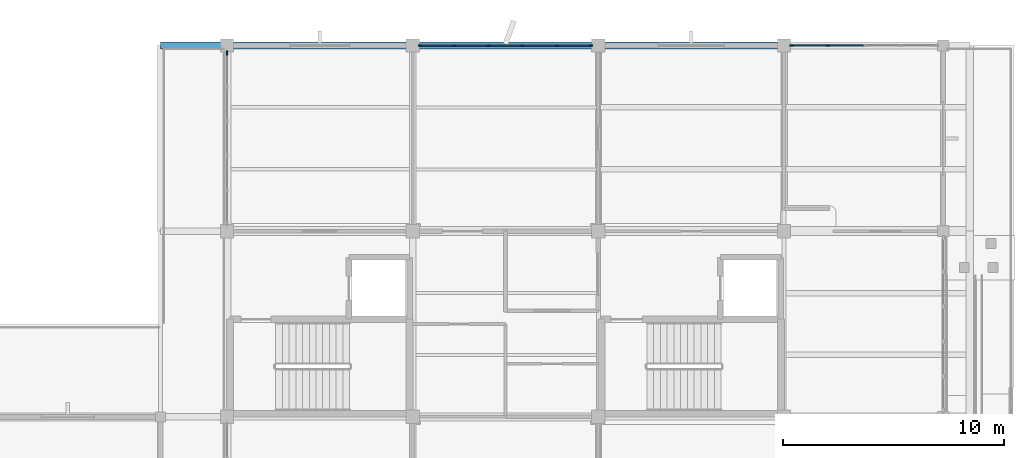
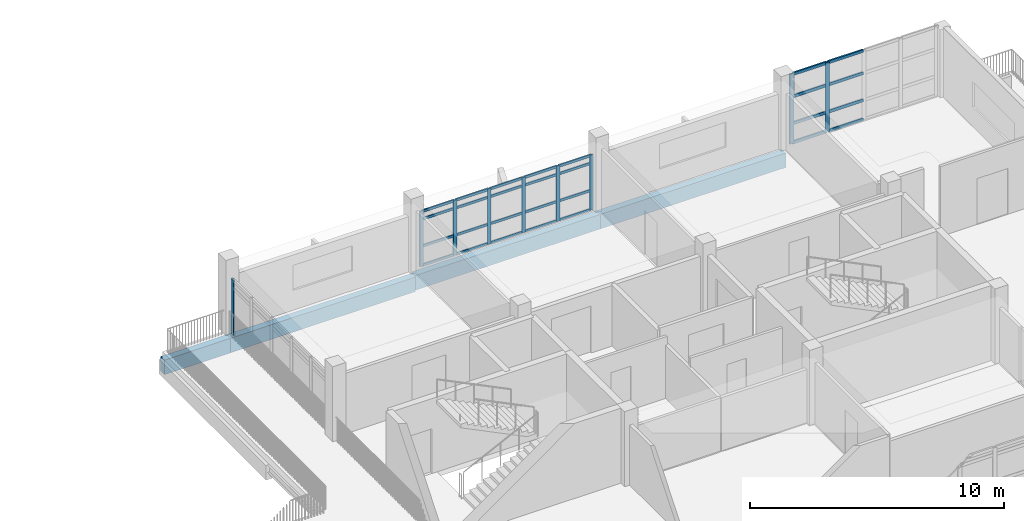
# One storey, part 13 of 33: 37 members, 4 beams, 3 elements without a shape of their own.
"""IFC4 building model written with IfcOpenShell, lengths in metres."""

from ifc_helpers import new_model, si_unit, direction, frame, origin, origin_2d, place, context, subcontext, project, spatial, rectangle, extrude, material, material_profile, profile_set, type_object, element, aggregate, save


model = new_model("IFC4")

# Units and contexts
model_context = context("Model", 3, precision=1e-05, world=origin(), true_north=direction((0.0, 1.0)))
body_context = subcontext(model_context, "Body", "Model", "MODEL_VIEW")
ifc_project = project(units=[si_unit("LENGTHUNIT", "METRE"), si_unit("AREAUNIT", "SQUARE_METRE"), si_unit("VOLUMEUNIT", "CUBIC_METRE"), si_unit("PLANEANGLEUNIT", "RADIAN"), si_unit("MASSUNIT", "GRAM", prefix="KILO")], contexts=[model_context])

# Site, building, storey
site_placement = place(None, origin())
site = spatial("IfcSite", under=ifc_project, at=site_placement, CompositionType="ELEMENT")
building_placement = place(site_placement, origin())
building = spatial("IfcBuilding", under=site, at=building_placement, Name="Vanh Quang Courtyard School", CompositionType="ELEMENT")
storey_placement = place(building_placement, frame((0.0, 0.0, 18.60009765625)))
storey = spatial("IfcBuildingStorey", under=building, at=storey_placement, Name="L05", CompositionType="ELEMENT", Elevation=18.60009765625)

# Beams
ifc_material_1 = material(Name="Concrete C35/45", Category="concrete")
ifc_material_profile_1 = material_profile(ifc_material_1, rectangle(XDim=0.300048828125, YDim=0.699951171875, at=origin_2d()), Name="RC-SP 300x700")
ifc_profile_set_1 = profile_set([ifc_material_profile_1], Name="Concrete C35/45")
beam_type = type_object("IfcBeamType", Name="BM-SP-300x700", PredefinedType="SPANDREL", material=ifc_profile_set_1)
beam_1_placement = place(storey_placement, frame((74.39990234375, 96.60009765625, -0.670166015625), z_axis=(1.0, 0.0, 0.0), x_axis=(0.0, 1.0, 0.0)))
element("IfcBeam", 1, at=beam_1_placement, inside=storey, type_object=beam_type, Name="Beam BS-01 (L05)", PredefinedType="SPANDREL", context=body_context, shape_type="SweptSolid", body=[
    extrude(rectangle(XDim=0.300048828125, YDim=0.699951171875, at=origin_2d()), origin(), (0.0, 0.0, 1.0), 3.0),
])
beam_2_placement = place(storey_placement, frame((77.39990234375, 96.60009765625, -0.670166015625), z_axis=(1.0, 0.0, 0.0), x_axis=(0.0, 1.0, 0.0)))
element("IfcBeam", 2, at=beam_2_placement, inside=storey, type_object=beam_type, Name="Beam BS-01 (L05)", PredefinedType="SPANDREL", context=body_context, shape_type="SweptSolid", body=[
    extrude(rectangle(XDim=0.300048828125, YDim=0.699951171875, at=origin_2d()), origin(), (0.0, 0.0, 1.0), 8.400146484375),
])
beam_3_placement = place(storey_placement, frame((85.800048828125, 96.60009765625, -0.60009765625), z_axis=(1.0, 0.0, 0.0), x_axis=(0.0, 1.0, 0.0)))
element("IfcBeam", 3, at=beam_3_placement, inside=storey, type_object=beam_type, Name="Beam BS-01 (L05)", PredefinedType="SPANDREL", context=body_context, shape_type="SweptSolid", body=[
    extrude(rectangle(XDim=0.300048828125, YDim=0.699951171875, at=origin_2d()), origin(), (0.0, 0.0, 1.0), 8.39990234375),
])
beam_4_placement = place(storey_placement, frame((94.199951171875, 96.60009765625, -0.60009765625), z_axis=(1.0, 0.0, 0.0), x_axis=(0.0, 1.0, 0.0)))
element("IfcBeam", 4, at=beam_4_placement, inside=storey, type_object=beam_type, Name="Beam BS-01 (L05)", PredefinedType="SPANDREL", context=body_context, shape_type="SweptSolid", body=[
    extrude(rectangle(XDim=0.300048828125, YDim=0.699951171875, at=origin_2d()), origin(), (0.0, 0.0, 1.0), 8.400146484375),
])

# Curtain wall, members
ifc_material_2 = material(Name="Thermally broken aluminium unitised curtain wall", Category="aluminium")
curtain_wall_type_1 = type_object("IfcCurtainWallType", Name="CW-SYS-24", PredefinedType="NOTDEFINED", material=ifc_material_2)
curtain_wall_1_placement = place(storey_placement, origin())
curtain_wall_1 = element("IfcCurtainWall", 5, at=curtain_wall_1_placement, inside=storey, type_object=curtain_wall_type_1, Name="Curtain Wall CW-24 (L05)", PredefinedType="NOTDEFINED")
ifc_material_3 = material(Name="Anodised aluminium 6063-T6", Category="aluminium")
ifc_material_profile_2 = material_profile(ifc_material_3, rectangle(XDim=0.06005859375, YDim=0.159912109375, at=origin_2d()), Name="ALU-MUL 60x160")
ifc_profile_set_2 = profile_set([ifc_material_profile_2], Name="Anodised aluminium 6063-T6")
member_type_1 = type_object("IfcMemberType", Name="CW-MUL-60x160", PredefinedType="MULLION", material=ifc_profile_set_2)
member_1_placement = place(storey_placement, frame((86.137939453125, 96.60009765625, 0.0), z_axis=(0.0, 0.0, 1.0), x_axis=(0.0, 1.0, 0.0)))
member_1 = element("IfcMember", 6, at=member_1_placement, type_object=member_type_1, Name="CW-24 mullion 1", PredefinedType="MULLION", context=body_context, shape_type="SweptSolid", body=[
    extrude(rectangle(XDim=0.06005859375, YDim=0.159912109375, at=origin_2d()), origin(), (0.0, 0.0, 1.0), 2.64990234375),
])
member_2_placement = place(storey_placement, frame((87.664794921875, 96.60009765625, 0.0), z_axis=(0.0, 0.0, 1.0), x_axis=(0.0, 1.0, 0.0)))
member_2 = element("IfcMember", 7, at=member_2_placement, type_object=member_type_1, Name="CW-24 mullion 2", PredefinedType="MULLION", context=body_context, shape_type="SweptSolid", body=[
    extrude(rectangle(XDim=0.06005859375, YDim=0.159912109375, at=origin_2d()), origin(), (0.0, 0.0, 1.0), 2.64990234375),
])
member_3_placement = place(storey_placement, frame((89.2216796875, 96.60009765625, 0.0), z_axis=(0.0, 0.0, 1.0), x_axis=(0.0, 1.0, 0.0)))
member_3 = element("IfcMember", 8, at=member_3_placement, type_object=member_type_1, Name="CW-24 mullion 3", PredefinedType="MULLION", context=body_context, shape_type="SweptSolid", body=[
    extrude(rectangle(XDim=0.06005859375, YDim=0.159912109375, at=origin_2d()), origin(), (0.0, 0.0, 1.0), 2.64990234375),
])
member_4_placement = place(storey_placement, frame((90.7783203125, 96.60009765625, 0.0), z_axis=(0.0, 0.0, 1.0), x_axis=(0.0, 1.0, 0.0)))
member_4 = element("IfcMember", 9, at=member_4_placement, type_object=member_type_1, Name="CW-24 mullion 4", PredefinedType="MULLION", context=body_context, shape_type="SweptSolid", body=[
    extrude(rectangle(XDim=0.06005859375, YDim=0.159912109375, at=origin_2d()), origin(), (0.0, 0.0, 1.0), 2.64990234375),
])
member_5_placement = place(storey_placement, frame((92.335205078125, 96.60009765625, 0.0), z_axis=(0.0, 0.0, 1.0), x_axis=(0.0, 1.0, 0.0)))
member_5 = element("IfcMember", 10, at=member_5_placement, type_object=member_type_1, Name="CW-24 mullion 5", PredefinedType="MULLION", context=body_context, shape_type="SweptSolid", body=[
    extrude(rectangle(XDim=0.06005859375, YDim=0.159912109375, at=origin_2d()), origin(), (0.0, 0.0, 1.0), 2.64990234375),
])
member_6_placement = place(storey_placement, frame((93.862060546875, 96.60009765625, 0.0), z_axis=(0.0, 0.0, 1.0), x_axis=(0.0, 1.0, 0.0)))
member_6 = element("IfcMember", 11, at=member_6_placement, type_object=member_type_1, Name="CW-24 mullion 6", PredefinedType="MULLION", context=body_context, shape_type="SweptSolid", body=[
    extrude(rectangle(XDim=0.06005859375, YDim=0.159912109375, at=origin_2d()), origin(), (0.0, 0.0, 1.0), 2.64990234375),
])

curtain_wall_type_2 = type_object("IfcCurtainWallType", Name="CW-SYS-68", PredefinedType="NOTDEFINED", material=ifc_material_2)
curtain_wall_2_placement = place(storey_placement, origin())
curtain_wall_2 = element("IfcCurtainWall", 12, at=curtain_wall_2_placement, inside=storey, type_object=curtain_wall_type_2, Name="Curtain Wall CW-68 (L05)", PredefinedType="NOTDEFINED")
ifc_material_profile_3 = material_profile(ifc_material_3, rectangle(XDim=0.070068359375, YDim=0.179931640625, at=origin_2d()), Name="ALU-MUL 70x180")
ifc_profile_set_3 = profile_set([ifc_material_profile_3], Name="Anodised aluminium 6063-T6")
member_type_2 = type_object("IfcMemberType", Name="CW-MUL-70x180", PredefinedType="MULLION", material=ifc_profile_set_3)
member_7_placement = place(storey_placement, frame((102.943115234375, 96.60009765625, 0.0), z_axis=(0.0, 0.0, 1.0), x_axis=(0.0, 1.0, 0.0)))
member_7 = element("IfcMember", 13, at=member_7_placement, type_object=member_type_2, Name="CW-68 mullion 1", PredefinedType="MULLION", context=body_context, shape_type="SweptSolid", body=[
    extrude(rectangle(XDim=0.070068359375, YDim=0.179931640625, at=origin_2d()), origin(), (0.0, 0.0, 1.0), 3.349853515625),
])
member_8_placement = place(storey_placement, frame((104.56640625, 96.60009765625, 0.0), z_axis=(0.0, 0.0, 1.0), x_axis=(0.0, 1.0, 0.0)))
member_8 = element("IfcMember", 14, at=member_8_placement, type_object=member_type_2, Name="CW-68 mullion 2", PredefinedType="MULLION", context=body_context, shape_type="SweptSolid", body=[
    extrude(rectangle(XDim=0.070068359375, YDim=0.179931640625, at=origin_2d()), origin(), (0.0, 0.0, 1.0), 3.349853515625),
])

# Curtain wall, member
curtain_wall_3_placement = place(storey_placement, origin())
curtain_wall_3 = element("IfcCurtainWall", 15, at=curtain_wall_3_placement, inside=storey, type_object=curtain_wall_type_1, Name="Curtain Wall CW-24 (L05)", PredefinedType="NOTDEFINED")
ifc_material_profile_4 = material_profile(ifc_material_3, rectangle(XDim=0.080078125, YDim=0.199951171875, at=origin_2d()), Name="ALU-MUL 80x200")
ifc_profile_set_4 = profile_set([ifc_material_profile_4], Name="Anodised aluminium 6063-T6")
member_type_3 = type_object("IfcMemberType", Name="CW-MUL-80x200", PredefinedType="MULLION", material=ifc_profile_set_4)
member_9_placement = place(storey_placement, frame((77.39990234375, 96.251953125, 0.0), z_axis=(0.0, 0.0, 1.0), x_axis=(-1.0, 0.0, 0.0)))
member_9 = element("IfcMember", 16, at=member_9_placement, type_object=member_type_3, Name="CW-24 mullion 6", PredefinedType="MULLION", context=body_context, shape_type="SweptSolid", body=[
    extrude(rectangle(XDim=0.080078125, YDim=0.199951171875, at=origin_2d()), origin(), (0.0, 0.0, 1.0), 2.64990234375),
])
aggregate(curtain_wall_3, [member_9])

# Member
ifc_material_profile_5 = material_profile(ifc_material_3, rectangle(XDim=0.06005859375, YDim=0.1201171875, at=origin_2d()), Name="ALU-TRN 60x120")
ifc_profile_set_5 = profile_set([ifc_material_profile_5], Name="Anodised aluminium 6063-T6")
member_type_4 = type_object("IfcMemberType", Name="CW-TRN-60x120", PredefinedType="USERDEFINED", material=ifc_profile_set_5)
member_10_placement = place(storey_placement, frame((86.16796875, 96.60009765625, 0.02978515625), z_axis=(1.0, 0.0, 0.0), x_axis=(0.0, 1.0, 0.0)))
member_10 = element("IfcMember", 17, at=member_10_placement, type_object=member_type_4, Name="CW-24 transom 1.1", ObjectType="TRANSOM", PredefinedType="USERDEFINED", context=body_context, shape_type="SweptSolid", body=[
    extrude(rectangle(XDim=0.06005859375, YDim=0.1201171875, at=origin_2d()), origin(), (0.0, 0.0, 1.0), 1.466796875),
])

member_11_placement = place(storey_placement, frame((86.16796875, 96.60009765625, 0.949951171875), z_axis=(1.0, 0.0, 0.0), x_axis=(0.0, 1.0, 0.0)))
member_11 = element("IfcMember", 18, at=member_11_placement, type_object=member_type_4, Name="CW-24 transom 1.2", ObjectType="TRANSOM", PredefinedType="USERDEFINED", context=body_context, shape_type="SweptSolid", body=[
    extrude(rectangle(XDim=0.06005859375, YDim=0.1201171875, at=origin_2d()), origin(), (0.0, 0.0, 1.0), 1.466796875),
])

member_12_placement = place(storey_placement, frame((86.16796875, 96.60009765625, 2.25), z_axis=(1.0, 0.0, 0.0), x_axis=(0.0, 1.0, 0.0)))
member_12 = element("IfcMember", 19, at=member_12_placement, type_object=member_type_4, Name="CW-24 transom 1.3", ObjectType="TRANSOM", PredefinedType="USERDEFINED", context=body_context, shape_type="SweptSolid", body=[
    extrude(rectangle(XDim=0.06005859375, YDim=0.1201171875, at=origin_2d()), origin(), (0.0, 0.0, 1.0), 1.466796875),
])

member_13_placement = place(storey_placement, frame((86.16796875, 96.60009765625, 2.619873046875), z_axis=(1.0, 0.0, 0.0), x_axis=(0.0, 1.0, 0.0)))
member_13 = element("IfcMember", 20, at=member_13_placement, type_object=member_type_4, Name="CW-24 transom 1.4", ObjectType="TRANSOM", PredefinedType="USERDEFINED", context=body_context, shape_type="SweptSolid", body=[
    extrude(rectangle(XDim=0.06005859375, YDim=0.1201171875, at=origin_2d()), origin(), (0.0, 0.0, 1.0), 1.466796875),
])

member_14_placement = place(storey_placement, frame((87.69482421875, 96.60009765625, 0.02978515625), z_axis=(1.0, 0.0, 0.0), x_axis=(0.0, 1.0, 0.0)))
member_14 = element("IfcMember", 21, at=member_14_placement, type_object=member_type_4, Name="CW-24 transom 2.1", ObjectType="TRANSOM", PredefinedType="USERDEFINED", context=body_context, shape_type="SweptSolid", body=[
    extrude(rectangle(XDim=0.06005859375, YDim=0.1201171875, at=origin_2d()), origin(), (0.0, 0.0, 1.0), 1.496826171875),
])

member_15_placement = place(storey_placement, frame((87.69482421875, 96.60009765625, 0.949951171875), z_axis=(1.0, 0.0, 0.0), x_axis=(0.0, 1.0, 0.0)))
member_15 = element("IfcMember", 22, at=member_15_placement, type_object=member_type_4, Name="CW-24 transom 2.2", ObjectType="TRANSOM", PredefinedType="USERDEFINED", context=body_context, shape_type="SweptSolid", body=[
    extrude(rectangle(XDim=0.06005859375, YDim=0.1201171875, at=origin_2d()), origin(), (0.0, 0.0, 1.0), 1.496826171875),
])

member_16_placement = place(storey_placement, frame((87.69482421875, 96.60009765625, 2.25), z_axis=(1.0, 0.0, 0.0), x_axis=(0.0, 1.0, 0.0)))
member_16 = element("IfcMember", 23, at=member_16_placement, type_object=member_type_4, Name="CW-24 transom 2.3", ObjectType="TRANSOM", PredefinedType="USERDEFINED", context=body_context, shape_type="SweptSolid", body=[
    extrude(rectangle(XDim=0.06005859375, YDim=0.1201171875, at=origin_2d()), origin(), (0.0, 0.0, 1.0), 1.496826171875),
])

member_17_placement = place(storey_placement, frame((87.69482421875, 96.60009765625, 2.619873046875), z_axis=(1.0, 0.0, 0.0), x_axis=(0.0, 1.0, 0.0)))
member_17 = element("IfcMember", 24, at=member_17_placement, type_object=member_type_4, Name="CW-24 transom 2.4", ObjectType="TRANSOM", PredefinedType="USERDEFINED", context=body_context, shape_type="SweptSolid", body=[
    extrude(rectangle(XDim=0.06005859375, YDim=0.1201171875, at=origin_2d()), origin(), (0.0, 0.0, 1.0), 1.496826171875),
])

member_18_placement = place(storey_placement, frame((89.251708984375, 96.60009765625, 0.02978515625), z_axis=(1.0, 0.0, 0.0), x_axis=(0.0, 1.0, 0.0)))
member_18 = element("IfcMember", 25, at=member_18_placement, type_object=member_type_4, Name="CW-24 transom 3.1", ObjectType="TRANSOM", PredefinedType="USERDEFINED", context=body_context, shape_type="SweptSolid", body=[
    extrude(rectangle(XDim=0.06005859375, YDim=0.1201171875, at=origin_2d()), origin(), (0.0, 0.0, 1.0), 1.49658203125),
])

member_19_placement = place(storey_placement, frame((89.251708984375, 96.60009765625, 0.949951171875), z_axis=(1.0, 0.0, 0.0), x_axis=(0.0, 1.0, 0.0)))
member_19 = element("IfcMember", 26, at=member_19_placement, type_object=member_type_4, Name="CW-24 transom 3.2", ObjectType="TRANSOM", PredefinedType="USERDEFINED", context=body_context, shape_type="SweptSolid", body=[
    extrude(rectangle(XDim=0.06005859375, YDim=0.1201171875, at=origin_2d()), origin(), (0.0, 0.0, 1.0), 1.49658203125),
])

member_20_placement = place(storey_placement, frame((89.251708984375, 96.60009765625, 2.25), z_axis=(1.0, 0.0, 0.0), x_axis=(0.0, 1.0, 0.0)))
member_20 = element("IfcMember", 27, at=member_20_placement, type_object=member_type_4, Name="CW-24 transom 3.3", ObjectType="TRANSOM", PredefinedType="USERDEFINED", context=body_context, shape_type="SweptSolid", body=[
    extrude(rectangle(XDim=0.06005859375, YDim=0.1201171875, at=origin_2d()), origin(), (0.0, 0.0, 1.0), 1.49658203125),
])

member_21_placement = place(storey_placement, frame((89.251708984375, 96.60009765625, 2.619873046875), z_axis=(1.0, 0.0, 0.0), x_axis=(0.0, 1.0, 0.0)))
member_21 = element("IfcMember", 28, at=member_21_placement, type_object=member_type_4, Name="CW-24 transom 3.4", ObjectType="TRANSOM", PredefinedType="USERDEFINED", context=body_context, shape_type="SweptSolid", body=[
    extrude(rectangle(XDim=0.06005859375, YDim=0.1201171875, at=origin_2d()), origin(), (0.0, 0.0, 1.0), 1.49658203125),
])

member_22_placement = place(storey_placement, frame((90.808349609375, 96.60009765625, 0.02978515625), z_axis=(1.0, 0.0, 0.0), x_axis=(0.0, 1.0, 0.0)))
member_22 = element("IfcMember", 29, at=member_22_placement, type_object=member_type_4, Name="CW-24 transom 4.1", ObjectType="TRANSOM", PredefinedType="USERDEFINED", context=body_context, shape_type="SweptSolid", body=[
    extrude(rectangle(XDim=0.06005859375, YDim=0.1201171875, at=origin_2d()), origin(), (0.0, 0.0, 1.0), 1.496826171875),
])

member_23_placement = place(storey_placement, frame((90.808349609375, 96.60009765625, 0.949951171875), z_axis=(1.0, 0.0, 0.0), x_axis=(0.0, 1.0, 0.0)))
member_23 = element("IfcMember", 30, at=member_23_placement, type_object=member_type_4, Name="CW-24 transom 4.2", ObjectType="TRANSOM", PredefinedType="USERDEFINED", context=body_context, shape_type="SweptSolid", body=[
    extrude(rectangle(XDim=0.06005859375, YDim=0.1201171875, at=origin_2d()), origin(), (0.0, 0.0, 1.0), 1.496826171875),
])

member_24_placement = place(storey_placement, frame((90.808349609375, 96.60009765625, 2.25), z_axis=(1.0, 0.0, 0.0), x_axis=(0.0, 1.0, 0.0)))
member_24 = element("IfcMember", 31, at=member_24_placement, type_object=member_type_4, Name="CW-24 transom 4.3", ObjectType="TRANSOM", PredefinedType="USERDEFINED", context=body_context, shape_type="SweptSolid", body=[
    extrude(rectangle(XDim=0.06005859375, YDim=0.1201171875, at=origin_2d()), origin(), (0.0, 0.0, 1.0), 1.496826171875),
])

member_25_placement = place(storey_placement, frame((90.808349609375, 96.60009765625, 2.619873046875), z_axis=(1.0, 0.0, 0.0), x_axis=(0.0, 1.0, 0.0)))
member_25 = element("IfcMember", 32, at=member_25_placement, type_object=member_type_4, Name="CW-24 transom 4.4", ObjectType="TRANSOM", PredefinedType="USERDEFINED", context=body_context, shape_type="SweptSolid", body=[
    extrude(rectangle(XDim=0.06005859375, YDim=0.1201171875, at=origin_2d()), origin(), (0.0, 0.0, 1.0), 1.496826171875),
])

member_26_placement = place(storey_placement, frame((92.365234375, 96.60009765625, 0.02978515625), z_axis=(1.0, 0.0, 0.0), x_axis=(0.0, 1.0, 0.0)))
member_26 = element("IfcMember", 33, at=member_26_placement, type_object=member_type_4, Name="CW-24 transom 5.1", ObjectType="TRANSOM", PredefinedType="USERDEFINED", context=body_context, shape_type="SweptSolid", body=[
    extrude(rectangle(XDim=0.06005859375, YDim=0.1201171875, at=origin_2d()), origin(), (0.0, 0.0, 1.0), 1.466796875),
])

member_27_placement = place(storey_placement, frame((92.365234375, 96.60009765625, 0.949951171875), z_axis=(1.0, 0.0, 0.0), x_axis=(0.0, 1.0, 0.0)))
member_27 = element("IfcMember", 34, at=member_27_placement, type_object=member_type_4, Name="CW-24 transom 5.2", ObjectType="TRANSOM", PredefinedType="USERDEFINED", context=body_context, shape_type="SweptSolid", body=[
    extrude(rectangle(XDim=0.06005859375, YDim=0.1201171875, at=origin_2d()), origin(), (0.0, 0.0, 1.0), 1.466796875),
])

member_28_placement = place(storey_placement, frame((92.365234375, 96.60009765625, 2.25), z_axis=(1.0, 0.0, 0.0), x_axis=(0.0, 1.0, 0.0)))
member_28 = element("IfcMember", 35, at=member_28_placement, type_object=member_type_4, Name="CW-24 transom 5.3", ObjectType="TRANSOM", PredefinedType="USERDEFINED", context=body_context, shape_type="SweptSolid", body=[
    extrude(rectangle(XDim=0.06005859375, YDim=0.1201171875, at=origin_2d()), origin(), (0.0, 0.0, 1.0), 1.466796875),
])

member_29_placement = place(storey_placement, frame((92.365234375, 96.60009765625, 2.619873046875), z_axis=(1.0, 0.0, 0.0), x_axis=(0.0, 1.0, 0.0)))
member_29 = element("IfcMember", 36, at=member_29_placement, type_object=member_type_4, Name="CW-24 transom 5.4", ObjectType="TRANSOM", PredefinedType="USERDEFINED", context=body_context, shape_type="SweptSolid", body=[
    extrude(rectangle(XDim=0.06005859375, YDim=0.1201171875, at=origin_2d()), origin(), (0.0, 0.0, 1.0), 1.466796875),
])

aggregate(curtain_wall_1, [member_1, member_2, member_3, member_4, member_5, member_6, member_10, member_11, member_12, member_13, member_14, member_15, member_16, member_17, member_18, member_19, member_20, member_21, member_22, member_23, member_24, member_25, member_26, member_27, member_28, member_29])

ifc_material_profile_6 = material_profile(ifc_material_3, rectangle(XDim=0.070068359375, YDim=0.139892578125, at=origin_2d()), Name="ALU-TRN 70x140")
ifc_profile_set_6 = profile_set([ifc_material_profile_6], Name="Anodised aluminium 6063-T6")
member_type_5 = type_object("IfcMemberType", Name="CW-TRN-70x140", PredefinedType="USERDEFINED", material=ifc_profile_set_6)
member_30_placement = place(storey_placement, frame((102.97802734375, 96.60009765625, 0.034912109375), z_axis=(1.0, 0.0, 0.0), x_axis=(0.0, 1.0, 0.0)))
member_30 = element("IfcMember", 37, at=member_30_placement, type_object=member_type_5, Name="CW-68 transom 1.1", ObjectType="TRANSOM", PredefinedType="USERDEFINED", context=body_context, shape_type="SweptSolid", body=[
    extrude(rectangle(XDim=0.070068359375, YDim=0.139892578125, at=origin_2d()), origin(), (0.0, 0.0, 1.0), 1.553466796875),
])

member_31_placement = place(storey_placement, frame((102.97802734375, 96.60009765625, 0.949951171875), z_axis=(1.0, 0.0, 0.0), x_axis=(0.0, 1.0, 0.0)))
member_31 = element("IfcMember", 38, at=member_31_placement, type_object=member_type_5, Name="CW-68 transom 1.2", ObjectType="TRANSOM", PredefinedType="USERDEFINED", context=body_context, shape_type="SweptSolid", body=[
    extrude(rectangle(XDim=0.070068359375, YDim=0.139892578125, at=origin_2d()), origin(), (0.0, 0.0, 1.0), 1.553466796875),
])

member_32_placement = place(storey_placement, frame((102.97802734375, 96.60009765625, 2.25), z_axis=(1.0, 0.0, 0.0), x_axis=(0.0, 1.0, 0.0)))
member_32 = element("IfcMember", 39, at=member_32_placement, type_object=member_type_5, Name="CW-68 transom 1.3", ObjectType="TRANSOM", PredefinedType="USERDEFINED", context=body_context, shape_type="SweptSolid", body=[
    extrude(rectangle(XDim=0.070068359375, YDim=0.139892578125, at=origin_2d()), origin(), (0.0, 0.0, 1.0), 1.553466796875),
])

member_33_placement = place(storey_placement, frame((102.97802734375, 96.60009765625, 3.31494140625), z_axis=(1.0, 0.0, 0.0), x_axis=(0.0, 1.0, 0.0)))
member_33 = element("IfcMember", 40, at=member_33_placement, type_object=member_type_5, Name="CW-68 transom 1.4", ObjectType="TRANSOM", PredefinedType="USERDEFINED", context=body_context, shape_type="SweptSolid", body=[
    extrude(rectangle(XDim=0.070068359375, YDim=0.139892578125, at=origin_2d()), origin(), (0.0, 0.0, 1.0), 1.553466796875),
])

member_34_placement = place(storey_placement, frame((104.6015625, 96.60009765625, 0.034912109375), z_axis=(1.0, 0.0, 0.0), x_axis=(0.0, 1.0, 0.0)))
member_34 = element("IfcMember", 41, at=member_34_placement, type_object=member_type_5, Name="CW-68 transom 2.1", ObjectType="TRANSOM", PredefinedType="USERDEFINED", context=body_context, shape_type="SweptSolid", body=[
    extrude(rectangle(XDim=0.070068359375, YDim=0.139892578125, at=origin_2d()), origin(), (0.0, 0.0, 1.0), 1.58837890625),
])

member_35_placement = place(storey_placement, frame((104.6015625, 96.60009765625, 0.949951171875), z_axis=(1.0, 0.0, 0.0), x_axis=(0.0, 1.0, 0.0)))
member_35 = element("IfcMember", 42, at=member_35_placement, type_object=member_type_5, Name="CW-68 transom 2.2", ObjectType="TRANSOM", PredefinedType="USERDEFINED", context=body_context, shape_type="SweptSolid", body=[
    extrude(rectangle(XDim=0.070068359375, YDim=0.139892578125, at=origin_2d()), origin(), (0.0, 0.0, 1.0), 1.58837890625),
])

member_36_placement = place(storey_placement, frame((104.6015625, 96.60009765625, 2.25), z_axis=(1.0, 0.0, 0.0), x_axis=(0.0, 1.0, 0.0)))
member_36 = element("IfcMember", 43, at=member_36_placement, type_object=member_type_5, Name="CW-68 transom 2.3", ObjectType="TRANSOM", PredefinedType="USERDEFINED", context=body_context, shape_type="SweptSolid", body=[
    extrude(rectangle(XDim=0.070068359375, YDim=0.139892578125, at=origin_2d()), origin(), (0.0, 0.0, 1.0), 1.58837890625),
])

member_37_placement = place(storey_placement, frame((104.6015625, 96.60009765625, 3.31494140625), z_axis=(1.0, 0.0, 0.0), x_axis=(0.0, 1.0, 0.0)))
member_37 = element("IfcMember", 44, at=member_37_placement, type_object=member_type_5, Name="CW-68 transom 2.4", ObjectType="TRANSOM", PredefinedType="USERDEFINED", context=body_context, shape_type="SweptSolid", body=[
    extrude(rectangle(XDim=0.070068359375, YDim=0.139892578125, at=origin_2d()), origin(), (0.0, 0.0, 1.0), 1.58837890625),
])

aggregate(curtain_wall_2, [member_7, member_8, member_30, member_31, member_32, member_33, member_34, member_35, member_36, member_37])

save(model, "model.ifc")
